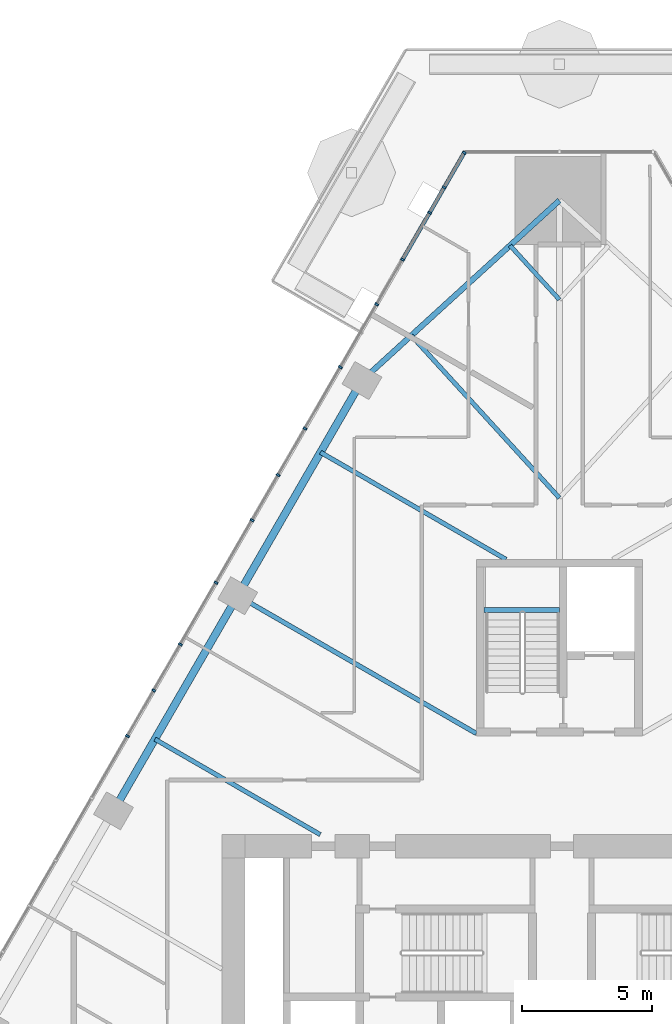
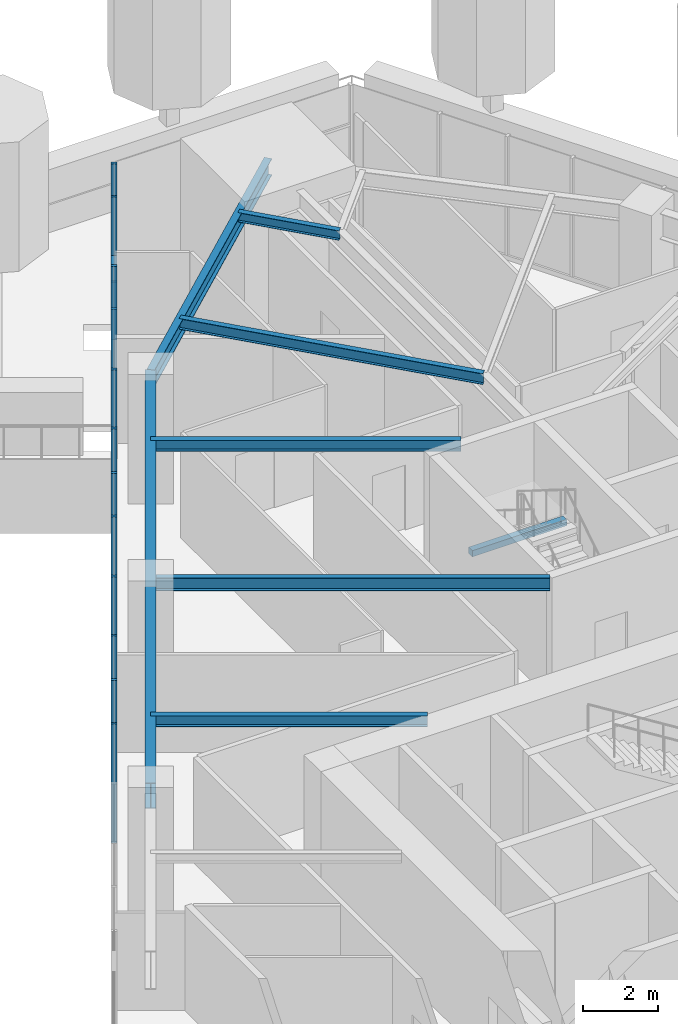
# One storey, part 9 of 26: 14 members, 8 beams, 1 element without a shape of its own.
"""IFC4 building model written with IfcOpenShell, lengths in metres."""

import ifcopenshell
import ifcopenshell.guid

model = None  # the IFC model being written
_history = None  # IfcOwnerHistory: only IFC2X3 demands one
_inside = {}  # id of a spatial element -> (the spatial element, [elements in it])
_under = {}  # id of a project, library or spatial element -> (it, [spatial elements below it])
_declared = {}  # id of a project -> (the project, [libraries it declares])
_typed = {}  # id of a type object -> (the type object, [elements of that type])
_made_of = {}  # id of a material, layer set ... -> (it, [elements and type objects made of it])


def new_model(schema):
    """Start an empty IFC model of exactly this schema.

    Asked for "IFC4X3", IfcOpenShell would pick the latest addendum, in which some entities
    have other attributes; the version numbers below select the first issue.
    IFC2X3 requires an IfcOwnerHistory on every rooted entity: one is made here for all.
    """
    global model, _history
    if schema == "IFC4X3":
        model = ifcopenshell.file(schema_version=(4, 3, 0, 0))
    else:
        model = ifcopenshell.file(schema=schema)
    _inside.clear()
    _under.clear()
    _declared.clear()
    _typed.clear()
    _made_of.clear()
    _history = None
    if model.schema == "IFC2X3":
        org = make("IfcOrganization", Name="unknown")
        user = make(
            "IfcPersonAndOrganization",
            ThePerson=make("IfcPerson", FamilyName="unknown"),
            TheOrganization=org,
        )
        app = make(
            "IfcApplication",
            ApplicationDeveloper=org,
            Version="unknown",
            ApplicationFullName="unknown",
            ApplicationIdentifier="unknown",
        )
        _history = make(
            "IfcOwnerHistory",
            OwningUser=user,
            OwningApplication=app,
            ChangeAction="ADDED",
            CreationDate=0,
        )
    return model


def make(cls, **values):
    """One entity of the class cls with the attributes given. An attribute that is None is left unset."""
    return model.create_entity(
        cls, **{name: value for name, value in values.items() if value is not None}
    )


def rooted(cls, **values):
    """An entity with a GlobalId (a new one), such as an element, a storey or a relation."""
    return make(cls, GlobalId=ifcopenshell.guid.new(), OwnerHistory=_history, **values)


def si_unit(unit_type, name, prefix=None):
    """IfcSIUnit, for example si_unit("LENGTHUNIT", "METRE", prefix="MILLI")."""
    return make("IfcSIUnit", UnitType=unit_type, Prefix=prefix, Name=name)


def assignment(units):
    """IfcUnitAssignment: the units of a project."""
    return None if units is None else make("IfcUnitAssignment", Units=units)


def point(xyz):
    """IfcCartesianPoint."""
    return None if xyz is None else make("IfcCartesianPoint", Coordinates=xyz)


def direction(xyz):
    """IfcDirection."""
    return None if xyz is None else make("IfcDirection", DirectionRatios=xyz)


def frame(location, z_axis=None, x_axis=None):
    """IfcAxis2Placement3D, a coordinate frame: its origin and axes. An axis left out is left unset."""
    return make(
        "IfcAxis2Placement3D",
        Location=point(location),
        Axis=direction(z_axis),
        RefDirection=direction(x_axis),
    )


def frame_2d(location, x_axis=None):
    """IfcAxis2Placement2D, a coordinate frame in the plane: its origin and x axis."""
    return make(
        "IfcAxis2Placement2D", Location=point(location), RefDirection=direction(x_axis)
    )


def origin():
    """The frame at (0, 0, 0) with its axes left unset."""
    return frame((0.0, 0.0, 0.0))


def origin_2d():
    """The frame at (0, 0) in the plane with its x axis left unset."""
    return frame_2d((0.0, 0.0))


def place(relative_to, where):
    """IfcLocalPlacement: puts the frame where relative to a parent placement (None: the world)."""
    return make(
        "IfcLocalPlacement", PlacementRelTo=relative_to, RelativePlacement=where
    )


def context(
    kind, dimensions, precision=None, world=None, true_north=None, identifier=None
):
    """IfcGeometricRepresentationContext, for example the 3D "Model" context."""
    return make(
        "IfcGeometricRepresentationContext",
        ContextIdentifier=identifier,
        ContextType=kind,
        CoordinateSpaceDimension=dimensions,
        Precision=precision,
        WorldCoordinateSystem=world,
        TrueNorth=true_north,
    )


def subcontext(parent, identifier, kind, view, scale=None):
    """IfcGeometricRepresentationSubContext, for example "Body" below "Model"."""
    return make(
        "IfcGeometricRepresentationSubContext",
        ContextIdentifier=identifier,
        ContextType=kind,
        ParentContext=parent,
        TargetScale=scale,
        TargetView=view,
    )


def project(units=None, contexts=None):
    """IfcProject with its units and contexts."""
    return rooted(
        "IfcProject",
        Name="project",
        RepresentationContexts=contexts,
        UnitsInContext=assignment(units),
    )


def spatial(cls, under=None, at=None, **own):
    """A site, building, storey or space (cls), placed at a placement, below another one or the project."""
    s = rooted(cls, ObjectPlacement=at, **own)
    if under is not None:
        _under.setdefault(under.id(), (under, []))[1].append(s)
    return s


def profile(cls, at=None, kind="AREA", **sizes):
    """A parametric profile (cls). Its sizes go by their IFC names, for example OverallWidth=200.0."""
    return make(cls, ProfileType=kind, Position=at, **sizes)


def rectangle(**sizes):
    """IfcRectangleProfileDef."""
    return profile("IfcRectangleProfileDef", **sizes)


def i_section(**sizes):
    """IfcIShapeProfileDef."""
    return profile("IfcIShapeProfileDef", **sizes)


def extrude(swept, where, along, depth):
    """IfcExtrudedAreaSolid: the profile swept, set in the frame where, extruded along a direction by depth."""
    return make(
        "IfcExtrudedAreaSolid",
        SweptArea=swept,
        Position=where,
        ExtrudedDirection=direction(along),
        Depth=depth,
    )


def shape(context_of_items, identifier, shape_type, items):
    """IfcShapeRepresentation: the items that make up one representation, for example the "Body"."""
    return make(
        "IfcShapeRepresentation",
        ContextOfItems=context_of_items,
        RepresentationIdentifier=identifier,
        RepresentationType=shape_type,
        Items=items,
    )


def material(Name=None, Category=None):
    """IfcMaterial."""
    return make("IfcMaterial", Name=Name, Category=Category)


def layer(
    of_material, thickness, ventilated=None, Name=None, Category=None, Priority=None
):
    """IfcMaterialLayer: one layer of a wall or slab, of a material (None: an air gap)."""
    return make(
        "IfcMaterialLayer",
        Material=of_material,
        LayerThickness=thickness,
        IsVentilated=ventilated,
        Name=Name,
        Category=Category,
        Priority=Priority,
    )


def layer_set(layers, Name=None):
    """IfcMaterialLayerSet."""
    return make("IfcMaterialLayerSet", MaterialLayers=layers, LayerSetName=Name)


def material_profile(
    of_material, cross_section, Name=None, Category=None, Priority=None
):
    """IfcMaterialProfile: a cross section and its material."""
    return make(
        "IfcMaterialProfile",
        Name=Name,
        Material=of_material,
        Profile=cross_section,
        Priority=Priority,
        Category=Category,
    )


def profile_set(profiles, Name=None, composite=None):
    """IfcMaterialProfileSet."""
    return make(
        "IfcMaterialProfileSet",
        Name=Name,
        MaterialProfiles=profiles,
        CompositeProfile=composite,
    )


def made_of(thing, what):
    """Note that an element or type object is made of a material, layer set ...; save() writes the relation."""
    if what is not None:
        _made_of.setdefault(what.id(), (what, []))[1].append(thing)
    return thing


def type_object(cls, material=None, **own):
    """A type object (cls), such as IfcWallType, which elements share."""
    return made_of(rooted(cls, **own), material)


def element(
    cls,
    number,
    at=None,
    inside=None,
    cuts=None,
    type_object=None,
    material=None,
    context=None,
    identifier="Body",
    shape_type=None,
    held_by="IfcProductDefinitionShape",
    body=None,
    shapes=None,
    **own,
):
    """One element of the class cls, such as IfcWall. Its Tag is "e" and its number.

    at: its placement. inside: the storey or other place that contains it. cuts: it is an
    opening in that element (IfcRelVoidsElement). A single representation is given by context,
    identifier, shape_type and body (its items); several are given by shapes. held_by: the class
    of the entity that holds the representations. save() writes the other relations.
    """
    e = rooted(cls, Tag="e%d" % number, ObjectPlacement=at, **own)
    if body is not None:
        shapes = [shape(context, identifier, shape_type, body)]
    if shapes is not None:
        e.Representation = make(held_by, Representations=shapes)
    if inside is not None:
        _inside.setdefault(inside.id(), (inside, []))[1].append(e)
    if cuts is not None:
        rooted(
            "IfcRelVoidsElement", RelatingBuildingElement=cuts, RelatedOpeningElement=e
        )
    if type_object is not None:
        _typed.setdefault(type_object.id(), (type_object, []))[1].append(e)
    return made_of(e, material)


def aggregate(whole, parts):
    """IfcRelAggregates: a whole, such as a stair, and the parts it consists of."""
    return rooted("IfcRelAggregates", RelatingObject=whole, RelatedObjects=parts)


def save(model, path):
    """Write the relations noted so far, then the file.

    IfcRelAggregates (storeys below a building ...), IfcRelContainedInSpatialStructure (elements
    in a storey), IfcRelDefinesByType, IfcRelAssociatesMaterial and IfcRelDeclares: one each for
    every whole, place, type object, material and project.
    """
    for whole, parts in _under.values():
        aggregate(whole, parts)
    for where, things in _inside.values():
        rooted(
            "IfcRelContainedInSpatialStructure",
            RelatedElements=things,
            RelatingStructure=where,
        )
    for kind, things in _typed.values():
        rooted("IfcRelDefinesByType", RelatedObjects=things, RelatingType=kind)
    for what, things in _made_of.values():
        rooted("IfcRelAssociatesMaterial", RelatedObjects=things, RelatingMaterial=what)
    for by, libraries in _declared.values():
        rooted("IfcRelDeclares", RelatingContext=by, RelatedDefinitions=libraries)
    model.write(path)


model = new_model("IFC4")

# Units and contexts
model_context = context("Model", 3, precision=1e-05, world=origin(), true_north=direction((0.0, 1.0)))
body_context = subcontext(model_context, "Body", "Model", "MODEL_VIEW")
ifc_project = project(units=[si_unit("LENGTHUNIT", "METRE"), si_unit("AREAUNIT", "SQUARE_METRE"), si_unit("VOLUMEUNIT", "CUBIC_METRE"), si_unit("PLANEANGLEUNIT", "RADIAN"), si_unit("MASSUNIT", "GRAM", prefix="KILO")], contexts=[model_context])

# Site, building, storey
site_placement = place(None, origin())
site = spatial("IfcSite", under=ifc_project, at=site_placement, CompositionType="ELEMENT")
building_placement = place(site_placement, origin())
building = spatial("IfcBuilding", under=site, at=building_placement, Name="Firuza Gate Tower and Library", CompositionType="ELEMENT")
storey_placement = place(building_placement, frame((0.0, 0.0, 52.60009765625)))
storey = spatial("IfcBuildingStorey", under=building, at=storey_placement, Name="L11", CompositionType="ELEMENT", Elevation=52.60009765625)

# Curtain wall, members
ifc_material_1 = material(Name="Aluminium 6063-T6", Category="aluminium")
ifc_layer = layer(ifc_material_1, 0.14990234375)
ifc_layer_set = layer_set([ifc_layer], Name="Unitised curtain wall, offices")
curtain_wall_type = type_object("IfcCurtainWallType", Name="Unitised curtain wall, offices", PredefinedType="NOTDEFINED", material=ifc_layer_set)
curtain_wall_placement = place(storey_placement, origin())
curtain_wall = element("IfcCurtainWall", 1, at=curtain_wall_placement, inside=storey, type_object=curtain_wall_type, Name="CW1 L11 W face", PredefinedType="NOTDEFINED")
ifc_material_2 = material(Name="Aluminium 6063-T6", Category="aluminium")
ifc_material_profile_1 = material_profile(ifc_material_2, rectangle(XDim=0.14990234375, YDim=0.080078125, at=origin_2d()))
ifc_profile_set_1 = profile_set([ifc_material_profile_1], Name="Aluminium 6063-T6")
member_type_1 = type_object("IfcMemberType", Name="Curtain wall mullion 80x150", PredefinedType="MULLION", material=ifc_profile_set_1)
member_1_placement = place(storey_placement, frame((71.336669921875, 110.2607421875, 0.14990234375), z_axis=(0.0, 0.0, 1.0), x_axis=(0.866025403784, -0.5, 0.0)))
member_1 = element("IfcMember", 2, at=member_1_placement, type_object=member_type_1, Name="Mullion", PredefinedType="MULLION", context=body_context, shape_type="SweptSolid", body=[
    extrude(rectangle(XDim=0.14990234375, YDim=0.080078125, at=origin_2d()), origin(), (0.0, 0.0, 1.0), 3.85009765625),
])
member_2_placement = place(storey_placement, frame((68.961181640625, 106.146240234375, 0.14990234375), z_axis=(0.0, 0.0, 1.0), x_axis=(0.866025403784, -0.5, 0.0)))
member_2 = element("IfcMember", 3, at=member_2_placement, type_object=member_type_1, Name="Mullion", PredefinedType="MULLION", context=body_context, shape_type="SweptSolid", body=[
    extrude(rectangle(XDim=0.14990234375, YDim=0.080078125, at=origin_2d()), origin(), (0.0, 0.0, 1.0), 3.85009765625),
])
member_3_placement = place(storey_placement, frame((66.56591796875, 101.997314453125, 0.14990234375), z_axis=(0.0, 0.0, 1.0), x_axis=(0.866025403784, -0.5, 0.0)))
member_3 = element("IfcMember", 4, at=member_3_placement, type_object=member_type_1, Name="Mullion", PredefinedType="MULLION", context=body_context, shape_type="SweptSolid", body=[
    extrude(rectangle(XDim=0.14990234375, YDim=0.080078125, at=origin_2d()), origin(), (0.0, 0.0, 1.0), 3.85009765625),
])
member_4_placement = place(storey_placement, frame((64.17041015625, 97.848388671875, 0.14990234375), z_axis=(0.0, 0.0, 1.0), x_axis=(0.866025403784, -0.5, 0.0)))
member_4 = element("IfcMember", 5, at=member_4_placement, type_object=member_type_1, Name="Mullion", PredefinedType="MULLION", context=body_context, shape_type="SweptSolid", body=[
    extrude(rectangle(XDim=0.14990234375, YDim=0.080078125, at=origin_2d()), origin(), (0.0, 0.0, 1.0), 3.85009765625),
])
member_5_placement = place(storey_placement, frame((61.775146484375, 93.699462890625, 0.14990234375), z_axis=(0.0, 0.0, 1.0), x_axis=(0.866025403784, -0.5, 0.0)))
member_5 = element("IfcMember", 6, at=member_5_placement, type_object=member_type_1, Name="Mullion", PredefinedType="MULLION", context=body_context, shape_type="SweptSolid", body=[
    extrude(rectangle(XDim=0.14990234375, YDim=0.080078125, at=origin_2d()), origin(), (0.0, 0.0, 1.0), 3.85009765625),
])
member_6_placement = place(storey_placement, frame((59.379638671875, 89.55029296875, 0.14990234375), z_axis=(0.0, 0.0, 1.0), x_axis=(0.866025403784, -0.5, 0.0)))
member_6 = element("IfcMember", 7, at=member_6_placement, type_object=member_type_1, Name="Mullion", PredefinedType="MULLION", context=body_context, shape_type="SweptSolid", body=[
    extrude(rectangle(XDim=0.14990234375, YDim=0.080078125, at=origin_2d()), origin(), (0.0, 0.0, 1.0), 3.85009765625),
])
member_7_placement = place(storey_placement, frame((70.0029296875, 107.95068359375, 0.14990234375), z_axis=(0.0, 0.0, 1.0), x_axis=(0.866025403784, -0.5, 0.0)))
member_7 = element("IfcMember", 8, at=member_7_placement, type_object=member_type_1, Name="Mullion", PredefinedType="MULLION", context=body_context, shape_type="SweptSolid", body=[
    extrude(rectangle(XDim=0.14990234375, YDim=0.080078125, at=origin_2d()), origin(), (0.0, 0.0, 1.0), 1.885009765625),
])
member_8_placement = place(storey_placement, frame((70.564453125, 108.923095703125, 2.114990234375), z_axis=(0.0, 0.0, 1.0), x_axis=(0.866025403784, -0.5, 0.0)))
member_8 = element("IfcMember", 9, at=member_8_placement, type_object=member_type_1, Name="Mullion", PredefinedType="MULLION", context=body_context, shape_type="SweptSolid", body=[
    extrude(rectangle(XDim=0.14990234375, YDim=0.080078125, at=origin_2d()), origin(), (0.0, 0.0, 1.0), 1.885009765625),
])
member_9_placement = place(storey_placement, frame((67.96533203125, 104.42138671875, 0.14990234375), z_axis=(0.0, 0.0, 1.0), x_axis=(0.866025403784, -0.5, 0.0)))
member_9 = element("IfcMember", 10, at=member_9_placement, type_object=member_type_1, Name="Mullion", PredefinedType="MULLION", context=body_context, shape_type="SweptSolid", body=[
    extrude(rectangle(XDim=0.14990234375, YDim=0.080078125, at=origin_2d()), origin(), (0.0, 0.0, 1.0), 3.85009765625),
])
member_10_placement = place(storey_placement, frame((65.203125, 99.63671875, 0.14990234375), z_axis=(0.0, 0.0, 1.0), x_axis=(0.866025403784, -0.5, 0.0)))
member_10 = element("IfcMember", 11, at=member_10_placement, type_object=member_type_1, Name="Mullion", PredefinedType="MULLION", context=body_context, shape_type="SweptSolid", body=[
    extrude(rectangle(XDim=0.14990234375, YDim=0.080078125, at=origin_2d()), origin(), (0.0, 0.0, 1.0), 3.85009765625),
])
member_11_placement = place(storey_placement, frame((63.165283203125, 96.107666015625, 0.14990234375), z_axis=(0.0, 0.0, 1.0), x_axis=(0.866025403784, -0.5, 0.0)))
member_11 = element("IfcMember", 12, at=member_11_placement, type_object=member_type_1, Name="Mullion", PredefinedType="MULLION", context=body_context, shape_type="SweptSolid", body=[
    extrude(rectangle(XDim=0.14990234375, YDim=0.080078125, at=origin_2d()), origin(), (0.0, 0.0, 1.0), 3.85009765625),
])
member_12_placement = place(storey_placement, frame((60.403076171875, 91.322998046875, 0.14990234375), z_axis=(0.0, 0.0, 1.0), x_axis=(0.866025403784, -0.5, 0.0)))
member_12 = element("IfcMember", 13, at=member_12_placement, type_object=member_type_1, Name="Mullion", PredefinedType="MULLION", context=body_context, shape_type="SweptSolid", body=[
    extrude(rectangle(XDim=0.14990234375, YDim=0.080078125, at=origin_2d()), origin(), (0.0, 0.0, 1.0), 3.85009765625),
])
member_13_placement = place(storey_placement, frame((58.365478515625, 87.793701171875, 0.14990234375), z_axis=(0.0, 0.0, 1.0), x_axis=(0.866025403784, -0.5, 0.0)))
member_13 = element("IfcMember", 14, at=member_13_placement, type_object=member_type_1, Name="Mullion", PredefinedType="MULLION", context=body_context, shape_type="SweptSolid", body=[
    extrude(rectangle(XDim=0.14990234375, YDim=0.080078125, at=origin_2d()), origin(), (0.0, 0.0, 1.0), 3.85009765625),
])
ifc_material_3 = material(Name="Aluminium 6063-T6", Category="aluminium")
ifc_material_profile_2 = material_profile(ifc_material_3, rectangle(XDim=0.14990234375, YDim=0.080078125, at=origin_2d()))
ifc_profile_set_2 = profile_set([ifc_material_profile_2], Name="Aluminium 6063-T6")
member_type_2 = type_object("IfcMemberType", Name="Curtain wall transom 80x150", PredefinedType="USERDEFINED", material=ifc_profile_set_2)
member_14_placement = place(storey_placement, frame((71.336669921875, 110.2607421875, 2.074951171875), z_axis=(-0.499996099667, -0.866027655631, 0.0), x_axis=(0.866027655631, -0.499996099667, 0.0)))
member_14 = element("IfcMember", 15, at=member_14_placement, type_object=member_type_2, Name="Transom", ObjectType="TRANSOM", PredefinedType="USERDEFINED", context=body_context, shape_type="SweptSolid", body=[
    extrude(rectangle(XDim=0.14990234375, YDim=0.080078125, at=origin_2d()), origin(), (0.0, 0.0, 1.0), 4.7109375),
])
aggregate(curtain_wall, [member_1, member_2, member_3, member_4, member_5, member_6, member_7, member_8, member_14, member_9, member_10, member_11, member_12, member_13])

# Beams
ifc_material_4 = material(Name="Concrete C35/45", Category="concrete")
ifc_material_profile_3 = material_profile(ifc_material_4, rectangle(XDim=0.199951171875, YDim=0.199951171875, at=origin_2d()))
ifc_profile_set_3 = profile_set([ifc_material_profile_3], Name="Concrete C35/45")
beam_type_1 = type_object("IfcBeamType", Name="Stair landing bearer 200x200", PredefinedType="BEAM", material=ifc_profile_set_3)
beam_1_placement = place(storey_placement, frame((75.0, 92.64990234375, 1.7998046875), z_axis=(-1.0, 0.0, 0.0), x_axis=(0.0, -1.0, 0.0)))
element("IfcBeam", 16, at=beam_1_placement, inside=storey, type_object=beam_type_1, Name="Landing bearer L11 stair 3", PredefinedType="BEAM", context=body_context, shape_type="SweptSolid", body=[
    extrude(rectangle(XDim=0.199951171875, YDim=0.199951171875, at=origin_2d()), origin(), (0.0, 0.0, 1.0), 2.89990234375),
])
ifc_material_5 = material(Name="Steel S355", Category="steel")
ifc_material_profile_4 = material_profile(ifc_material_5, i_section(OverallWidth=0.1650390625, OverallDepth=0.31005859375, WebThickness=0.005859375, FlangeThickness=0.009765625, at=origin_2d()))
ifc_profile_set_4 = profile_set([ifc_material_profile_4], Name="Steel S355")
beam_type_2 = type_object("IfcBeamType", Name="W310x39 Floor beam", PredefinedType="JOIST", material=ifc_profile_set_4)
beam_2_placement = place(storey_placement, frame((73.098876953125, 106.6865234375, 3.844970703125), z_axis=(0.673865036235, -0.738854459917, 0.0), x_axis=(0.738854459917, 0.673865036235, 0.0)))
element("IfcBeam", 17, at=beam_2_placement, inside=storey, type_object=beam_type_2, Name="Floor beam L11 s70", PredefinedType="JOIST", context=body_context, shape_type="SweptSolid", body=[
    extrude(i_section(OverallWidth=0.1650390625, OverallDepth=0.31005859375, WebThickness=0.005859375, FlangeThickness=0.009765625, at=origin_2d()), origin(), (0.0, 0.0, 1.0), 2.8212890625),
])
ifc_material_6 = material(Name="Steel S355", Category="steel")
ifc_material_profile_5 = material_profile(ifc_material_6, i_section(OverallWidth=0.1708984375, OverallDepth=0.35498046875, WebThickness=0.007080078125, FlangeThickness=0.01171875, at=origin_2d()))
ifc_profile_set_5 = profile_set([ifc_material_profile_5], Name="Steel S355")
beam_type_3 = type_object("IfcBeamType", Name="W360x51 Floor beam", PredefinedType="JOIST", material=ifc_profile_set_5)
beam_3_placement = place(storey_placement, frame((69.296875, 103.21875, 3.822509765625), z_axis=(0.673863651071, -0.73885572324, 0.0), x_axis=(0.73885572324, 0.673863651071, 0.0)))
element("IfcBeam", 18, at=beam_3_placement, inside=storey, type_object=beam_type_3, Name="Floor beam L11 s71", PredefinedType="JOIST", context=body_context, shape_type="SweptSolid", body=[
    extrude(i_section(OverallWidth=0.1708984375, OverallDepth=0.35498046875, WebThickness=0.007080078125, FlangeThickness=0.01171875, at=origin_2d()), origin(), (0.0, 0.0, 1.0), 8.46337890625),
])
beam_4_placement = place(storey_placement, frame((65.80126953125, 98.72314453125, 3.822509765625), z_axis=(0.866026336112, -0.499998385158, 0.0), x_axis=(0.499998385158, 0.866026336112, 0.0)))
element("IfcBeam", 19, at=beam_4_placement, inside=storey, type_object=beam_type_3, Name="Floor beam L11 s80", PredefinedType="JOIST", context=body_context, shape_type="SweptSolid", body=[
    extrude(i_section(OverallWidth=0.1708984375, OverallDepth=0.35498046875, WebThickness=0.007080078125, FlangeThickness=0.01171875, at=origin_2d()), origin(), (0.0, 0.0, 1.0), 8.24609375),
])
beam_5_placement = place(storey_placement, frame((59.423095703125, 87.67578125, 3.822509765625), z_axis=(0.866027421574, -0.49999650507, 0.0), x_axis=(0.49999650507, 0.866027421574, 0.0)))
element("IfcBeam", 20, at=beam_5_placement, inside=storey, type_object=beam_type_3, Name="Floor beam L11 s82", PredefinedType="JOIST", context=body_context, shape_type="SweptSolid", body=[
    extrude(i_section(OverallWidth=0.1708984375, OverallDepth=0.35498046875, WebThickness=0.007080078125, FlangeThickness=0.01171875, at=origin_2d()), origin(), (0.0, 0.0, 1.0), 7.3515625),
])
ifc_material_7 = material(Name="Steel S355", Category="steel")
ifc_material_profile_6 = material_profile(ifc_material_7, i_section(OverallWidth=0.177978515625, OverallDepth=0.406982421875, WebThickness=0.0078125, FlangeThickness=0.0126953125, at=origin_2d()))
ifc_profile_set_6 = profile_set([ifc_material_profile_6], Name="Steel S355")
beam_type_4 = type_object("IfcBeamType", Name="W410x60 Floor beam", PredefinedType="JOIST", material=ifc_profile_set_6)
beam_6_placement = place(storey_placement, frame((62.6123046875, 93.199462890625, 3.79638671875), z_axis=(0.866019650973, -0.50000996403, 0.0), x_axis=(0.50000996403, 0.866019650973, 0.0)))
element("IfcBeam", 21, at=beam_6_placement, inside=storey, type_object=beam_type_4, Name="Floor beam L11 s81", PredefinedType="JOIST", context=body_context, shape_type="SweptSolid", body=[
    extrude(i_section(OverallWidth=0.177978515625, OverallDepth=0.406982421875, WebThickness=0.0078125, FlangeThickness=0.0126953125, at=origin_2d()), origin(), (0.0, 0.0, 1.0), 10.609130859375),
])
ifc_material_8 = material(Name="Steel S355", Category="steel")
ifc_material_profile_7 = material_profile(ifc_material_8, i_section(OverallWidth=0.212890625, OverallDepth=0.5390625, WebThickness=0.01171875, FlangeThickness=0.018798828125, at=origin_2d()))
ifc_profile_set_7 = profile_set([ifc_material_profile_7], Name="Steel S355")
beam_type_5 = type_object("IfcBeamType", Name="W530x109 Edge beam", PredefinedType="SPANDREL", material=ifc_profile_set_7)
beam_7_placement = place(storey_placement, frame((75.0, 108.42041015625, 3.73046875), z_axis=(-0.738846416026, -0.673873855796, 0.0), x_axis=(0.673873855796, -0.738846416026, 0.0)))
element("IfcBeam", 22, at=beam_7_placement, inside=storey, type_object=beam_type_5, Name="Edge beam L11 e70", PredefinedType="SPANDREL", context=body_context, shape_type="SweptSolid", body=[
    extrude(i_section(OverallWidth=0.212890625, OverallDepth=0.5390625, WebThickness=0.01171875, FlangeThickness=0.018798828125, at=origin_2d()), origin(), (0.0, 0.0, 1.0), 10.2919921875),
])
ifc_material_9 = material(Name="Steel S355", Category="steel")
ifc_material_profile_8 = material_profile(ifc_material_9, i_section(OverallWidth=0.2919921875, OverallDepth=0.8349609375, WebThickness=0.013916015625, FlangeThickness=0.018798828125, at=origin_2d()))
ifc_profile_set_8 = profile_set([ifc_material_profile_8], Name="Steel S355")
beam_type_6 = type_object("IfcBeamType", Name="W840x176 Edge beam", PredefinedType="SPANDREL", material=ifc_profile_set_8)
beam_8_placement = place(storey_placement, frame((67.395751953125, 101.48486328125, 3.58251953125), z_axis=(-0.499993784471, -0.866028992292, 0.0), x_axis=(0.866028992292, -0.499993784471, 0.0)))
element("IfcBeam", 23, at=beam_8_placement, inside=storey, type_object=beam_type_6, Name="Edge beam L11 e80", PredefinedType="SPANDREL", context=body_context, shape_type="SweptSolid", body=[
    extrude(i_section(OverallWidth=0.2919921875, OverallDepth=0.8349609375, WebThickness=0.013916015625, FlangeThickness=0.018798828125, at=origin_2d()), origin(), (0.0, 0.0, 1.0), 19.134521484375),
])

save(model, "model.ifc")
